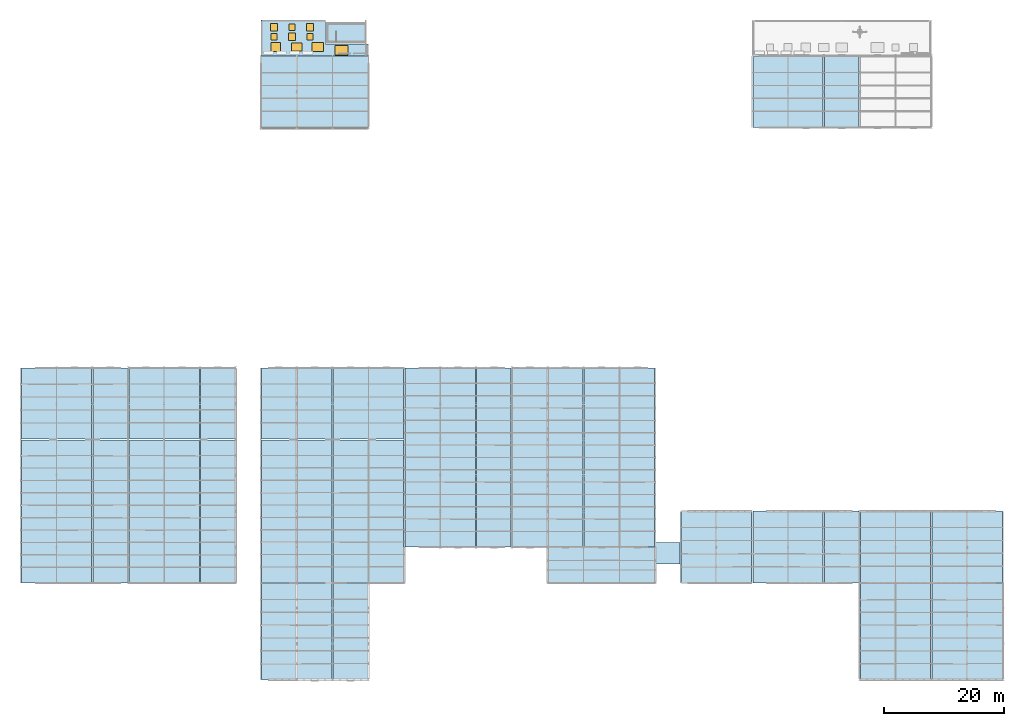
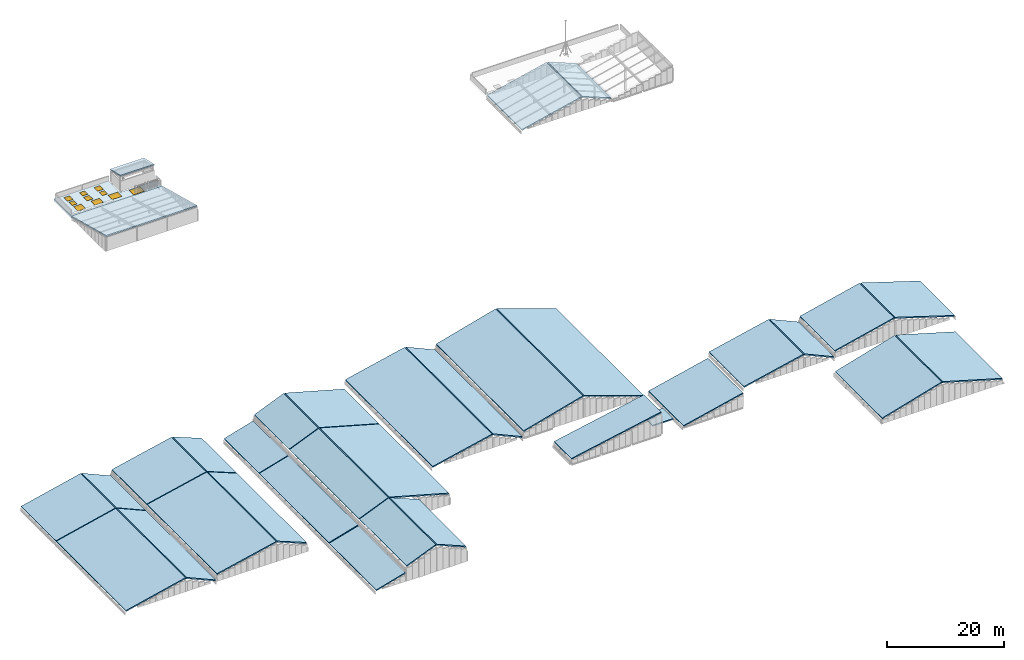
"""IFC4 building model written with IfcOpenShell, lengths in metres."""

from ifc_helpers import new_model, si_unit, direction, frame, origin, origin_2d, place, context, subcontext, project, spatial, polyline, rectangle, outline, extrude, material, layer, layer_set, type_object, element, fill, save


model = new_model("IFC4")

# Units and contexts
model_context = context("Model", 3, precision=1e-05, world=origin(), true_north=direction((0.0, 1.0)))
body_context = subcontext(model_context, "Body", "Model", "MODEL_VIEW")
ifc_project = project(units=[si_unit("LENGTHUNIT", "METRE"), si_unit("AREAUNIT", "SQUARE_METRE"), si_unit("VOLUMEUNIT", "CUBIC_METRE"), si_unit("PLANEANGLEUNIT", "RADIAN"), si_unit("MASSUNIT", "GRAM", prefix="KILO")], contexts=[model_context])

# Site, building, storey
site_placement = place(None, origin())
site = spatial("IfcSite", under=ifc_project, at=site_placement, CompositionType="ELEMENT")
building_placement = place(site_placement, origin())
building = spatial("IfcBuilding", under=site, at=building_placement, Name="Siltcreek Boulevard Central Fire Station", CompositionType="ELEMENT")
storey_1_placement = place(building_placement, frame((0.0, 0.0, 25.199951171875)))
storey_1 = spatial("IfcBuildingStorey", under=building, at=storey_1_placement, Name="RF", CompositionType="ELEMENT", Elevation=25.199951171875)

# Slabs
ifc_material_1 = material(Name="White ribbed aluminum insulated roof deck Steel A653 Gr50", Category="steel")
ifc_layer_1 = layer(ifc_material_1, 0.22998046875, Name="White ribbed aluminum insulated roof deck Steel A653 Gr50")
ifc_layer_set_1 = layer_set([ifc_layer_1], Name="White ribbed aluminum insulated roof deck Steel A653 Gr50")
slab_type_1 = type_object("IfcSlabType", Name="SL_ROOF230", PredefinedType="ROOF", material=ifc_layer_set_1)
slab_1_placement = place(storey_1_placement, frame((42.110107421875, 1.800048828125, -15.018798828125), z_axis=(-0.272616366575, 0.0, 0.962122817875), x_axis=(0.962122817875, 0.0, 0.272616366575)))
element("IfcSlab", 1, at=slab_1_placement, inside=storey_1, type_object=slab_type_1, Name="Pitched standing-seam roof deck slab RF-H3-PR", PredefinedType="ROOF", context=body_context, shape_type="SweptSolid", body=[
    extrude(outline(polyline([(0.0, 0.0), (6.007325726893151, 0.0), (6.007325726893151, 16.139892578125), (0.0, 16.139892578125), (0.0, 0.0)])), origin(), (0.0, 0.0, -1.0), 0.22998046875),
])
slab_2_placement = place(storey_1_placement, frame((42.110107421875, 42.06005859375, -14.9677734375), z_axis=(-0.280003114298, 0.0, 0.959999091658), x_axis=(0.959999091658, 0.0, 0.280003114298)))
element("IfcSlab", 2, at=slab_2_placement, inside=storey_1, type_object=slab_type_1, Name="Pitched standing-seam roof deck slab RF-H3-DC", PredefinedType="ROOF", context=body_context, shape_type="SweptSolid", body=[
    extrude(outline(polyline([(0.0, 0.0), (6.02061523440668, 0.0), (6.02061523440668, 11.93994140625), (0.0, 11.93994140625), (0.0, 0.0)])), origin(), (0.0, 0.0, -1.0), 0.22998046875),
])
slab_3_placement = place(storey_1_placement, frame((48.110107421875, 42.06005859375, -12.05419921875), z_axis=(-0.384643070133, 0.0, 0.923065386957), x_axis=(0.923065386957, 0.0, 0.384643070133)))
element("IfcSlab", 3, at=slab_3_placement, inside=storey_1, type_object=slab_type_1, Name="Pitched standing-seam roof deck slab RF-H4W-DC", PredefinedType="ROOF", context=body_context, shape_type="SweptSolid", body=[
    extrude(outline(polyline([(0.0, 0.0), (6.261512172287488, 0.0), (6.261512172287488, 11.93994140625), (0.0, 11.93994140625), (0.0, 0.0)])), origin(), (0.0, 0.0, -1.0), 0.22998046875),
])
slab_4_placement = place(storey_1_placement, frame((54.110107421875, 42.06005859375, -9.630615234375), z_axis=(0.268889412044, 0.0, 0.963171056506), x_axis=(0.963171056506, 0.0, -0.268889412044)))
element("IfcSlab", 4, at=slab_4_placement, inside=storey_1, type_object=slab_type_1, Name="Pitched standing-seam roof deck slab RF-H4E-DC", PredefinedType="ROOF", context=body_context, shape_type="SweptSolid", body=[
    extrude(outline(polyline([(0.0, 0.0), (12.230210902500211, 0.0), (12.230210902500211, 11.939941406249998), (0.0, 11.939941406249998), (0.0, 0.0)])), origin(), (0.0, 0.0, -1.0), 0.22998046875),
])
slab_5_placement = place(storey_1_placement, frame((90.110107421875, 18.0, -14.1279296875), z_axis=(-0.19611354577, 0.0, 0.980581193561), x_axis=(0.980581193561, 0.0, 0.19611354577)))
element("IfcSlab", 5, at=slab_5_placement, inside=storey_1, type_object=slab_type_1, Name="Pitched standing-seam roof deck slab RF-H6-DY", PredefinedType="ROOF", context=body_context, shape_type="SweptSolid", body=[
    extrude(outline(polyline([(0.0, 0.0), (18.131884715921274, 0.0), (18.131884715921274, 5.919921875), (0.0, 5.919921875), (0.0, 0.0)])), origin(), (0.0, 0.0, -1.0), 0.22998046875),
])
slab_6_placement = place(storey_1_placement, frame((42.0, 94.199951171875, 3.199951171875), z_axis=(0.0, 0.254721417197, 0.967014477462), x_axis=(1.0, 0.0, 0.0)))
element("IfcSlab", 6, at=slab_6_placement, inside=storey_1, type_object=slab_type_1, Name="Pitched standing-seam roof deck slab RF-V3-MAIN", PredefinedType="ROOF", context=body_context, shape_type="SweptSolid", body=[
    extrude(outline(polyline([(0.0, 0.0), (18.0, 0.0), (18.0, 12.32677099820653), (0.0, 12.32677099820653), (0.0, 0.0)])), origin(), (0.0, 0.0, -1.0), 0.22998046875),
])
slab_7_placement = place(storey_1_placement, frame((1.909912109375, 42.06005859375, -15.07421875), z_axis=(-0.22721876916, 0.0, 0.973843740516), x_axis=(0.973843740516, 0.0, 0.22721876916)))
element("IfcSlab", 7, at=slab_7_placement, inside=storey_1, type_object=slab_type_1, Name="Pitched standing-seam roof deck slab RF-H1W-N", PredefinedType="ROOF", context=body_context, shape_type="SweptSolid", body=[
    extrude(outline(polyline([(0.0, 0.0), (12.096426569048214, 0.0), (12.096426569048214, 11.939941406249998), (0.0, 11.939941406249998), (0.0, 0.0)])), origin(), (0.0, 0.0, -1.0), 0.22998046875),
])
slab_8_placement = place(storey_1_placement, frame((13.909912109375, 42.06005859375, -12.3486328125), z_axis=(0.404000704896, 0.0, 0.914758673336), x_axis=(0.914758673336, 0.0, -0.404000704896)))
element("IfcSlab", 8, at=slab_8_placement, inside=storey_1, type_object=slab_type_1, Name="Pitched standing-seam roof deck slab RF-H1E-N", PredefinedType="ROOF", context=body_context, shape_type="SweptSolid", body=[
    extrude(outline(polyline([(0.0, 0.0), (6.318638418365142, 0.0), (6.318638418365142, 11.93994140625), (0.0, 11.93994140625), (0.0, 0.0)])), origin(), (0.0, 0.0, -1.0), 0.22998046875),
])
slab_9_placement = place(storey_1_placement, frame((19.909912109375, 42.06005859375, -13.67529296875), z_axis=(-0.219522298809, 0.0, 0.975607482713), x_axis=(0.975607482713, 0.0, 0.219522298809)))
element("IfcSlab", 9, at=slab_9_placement, inside=storey_1, type_object=slab_type_1, Name="Pitched standing-seam roof deck slab RF-H2W-N", PredefinedType="ROOF", context=body_context, shape_type="SweptSolid", body=[
    extrude(outline(polyline([(0.0, 0.0), (12.074558165662758, 0.0), (12.074558165662758, 11.93994140625), (0.0, 11.93994140625), (0.0, 0.0)])), origin(), (0.0, 0.0, -1.0), 0.22998046875),
])
slab_10_placement = place(storey_1_placement, frame((31.909912109375, 42.06005859375, -11.0439453125), z_axis=(0.371390676354, 0.0, 0.928476690885), x_axis=(0.928476690885, 0.0, -0.371390676354)))
element("IfcSlab", 10, at=slab_10_placement, inside=storey_1, type_object=slab_type_1, Name="Pitched standing-seam roof deck slab RF-H2E-N", PredefinedType="ROOF", context=body_context, shape_type="SweptSolid", body=[
    extrude(outline(polyline([(0.0, 0.0), (6.225282070747528, 0.0), (6.225282070747528, 11.93994140625), (0.0, 11.93994140625), (0.0, 0.0)])), origin(), (0.0, 0.0, -1.0), 0.22998046875),
])
slab_11_placement = place(storey_1_placement, frame((112.31005859375, 18.0, -15.024169921875), z_axis=(-0.22721876916, 0.0, 0.973843740516), x_axis=(0.973843740516, 0.0, 0.22721876916)))
element("IfcSlab", 11, at=slab_11_placement, inside=storey_1, type_object=slab_type_1, Name="Pitched standing-seam roof deck slab RF-H7-LK", PredefinedType="ROOF", context=body_context, shape_type="SweptSolid", body=[
    extrude(outline(polyline([(0.0, 0.0), (12.096426569048214, 0.0), (12.096426569048214, 12.0), (0.0, 12.0), (0.0, 0.0)])), origin(), (0.0, 0.0, -1.0), 0.22998046875),
])
slab_12_placement = place(storey_1_placement, frame((0.0, 0.0, -15.639892578125)))
element("IfcSlab", 12, at=slab_12_placement, inside=storey_1, type_object=slab_type_1, Name="L02 seismic link bridge canopy roof slab RF-LB1", PredefinedType="ROOF", context=body_context, shape_type="SweptSolid", body=[
    extrude(outline(polyline([(108.050048828125, 21.199951171875), (112.14990234375, 21.199951171875), (112.14990234375, 24.800048828125), (108.050048828125, 24.800048828125), (108.050048828125, 21.199951171875)])), origin(), (0.0, 0.0, 1.0), 0.22998046875),
])
slab_13_placement = place(storey_1_placement, frame((52.93505859375, 108.3349609375, 3.400146484375), z_axis=(0.0, 0.223663017064, 0.974666535179), x_axis=(1.0, 0.0, 0.0)))
element("IfcSlab", 13, at=slab_13_placement, inside=storey_1, type_object=slab_type_1, Name="Pitched standing-seam head-house roof deck RF-CB4", PredefinedType="ROOF", context=body_context, shape_type="SweptSolid", body=[
    extrude(outline(polyline([(0.0, 0.0), (6.72998046875, 0.0), (6.72998046875, 3.621781572942249), (0.0, 3.621781572942249), (0.0, 0.0)])), origin(), (0.0, 0.0, -1.0), 0.22998046875),
])
ifc_layer_2 = layer(ifc_material_1, 0.25, Name="White ribbed aluminum insulated roof deck Steel A653 Gr50")
ifc_layer_set_2 = layer_set([ifc_layer_2], Name="White ribbed aluminum insulated roof deck Steel A653 Gr50")
slab_type_2 = type_object("IfcSlabType", Name="SL_ROOF250", PredefinedType="ROOF", material=ifc_layer_set_2)
slab_14_placement = place(storey_1_placement, frame((42.110107421875, 18.06005859375, -14.9677734375), z_axis=(-0.280003114298, 0.0, 0.959999091658), x_axis=(0.959999091658, 0.0, 0.280003114298)))
element("IfcSlab", 14, at=slab_14_placement, inside=storey_1, type_object=slab_type_2, Name="Pitched standing-seam roof deck slab RF-H3-HL", PredefinedType="ROOF", context=body_context, shape_type="SweptSolid", body=[
    extrude(outline(polyline([(0.0, 0.0), (6.02061523440668, 0.0), (6.02061523440668, 23.8798828125), (0.0, 23.8798828125), (0.0, 0.0)])), origin(), (0.0, 0.0, -1.0), 0.25),
])
for number, where, z_axis, x_axis, name in (
    (15, (48.110107421875, 1.800048828125, -12.05419921875), (-0.384643070133, 0.0, 0.923065386957), (0.923065386957, 0.0, 0.384643070133), "Pitched standing-seam roof deck slab RF-H4W-PR"),
    (16, (54.110107421875, 1.800048828125, -9.645751953125), (0.384643070133, 0.0, 0.923065386957), (0.923065386957, 0.0, -0.384643070133), "Pitched standing-seam roof deck slab RF-H4E-PR"),
):
    element("IfcSlab", number, at=place(storey_1_placement, frame(where, z_axis=z_axis, x_axis=x_axis)), inside=storey_1, type_object=slab_type_2, Name=name, PredefinedType="ROOF", context=body_context, shape_type="SweptSolid", body=[
        extrude(outline(polyline([(0.0, 0.0), (6.261512172287488, 0.0), (6.261512172287488, 16.139892578125), (0.0, 16.139892578125), (0.0, 0.0)])), origin(), (0.0, 0.0, -1.0), 0.25),
    ])
slab_15_placement = place(storey_1_placement, frame((48.110107421875, 18.06005859375, -12.05419921875), z_axis=(-0.384643070133, 0.0, 0.923065386957), x_axis=(0.923065386957, 0.0, 0.384643070133)))
element("IfcSlab", 17, at=slab_15_placement, inside=storey_1, type_object=slab_type_2, Name="Pitched standing-seam roof deck slab RF-H4W-HL", PredefinedType="ROOF", context=body_context, shape_type="SweptSolid", body=[
    extrude(outline(polyline([(0.0, 0.0), (6.261512172287488, 0.0), (6.261512172287488, 23.8798828125), (0.0, 23.8798828125), (0.0, 0.0)])), origin(), (0.0, 0.0, -1.0), 0.25),
])
slab_16_placement = place(storey_1_placement, frame((54.110107421875, 18.06005859375, -9.630615234375), z_axis=(0.268889412044, 0.0, 0.963171056506), x_axis=(0.963171056506, 0.0, -0.268889412044)))
element("IfcSlab", 18, at=slab_16_placement, inside=storey_1, type_object=slab_type_2, Name="Pitched standing-seam roof deck slab RF-H4E-HL", PredefinedType="ROOF", context=body_context, shape_type="SweptSolid", body=[
    extrude(outline(polyline([(0.0, 0.0), (12.230210902500211, 0.0), (12.230210902500211, 23.879882812499996), (0.0, 23.879882812499996), (0.0, 0.0)])), origin(), (0.0, 0.0, -1.0), 0.25),
])
slab_17_placement = place(storey_1_placement, frame((66.110107421875, 24.0, -11.025146484375), z_axis=(-0.219507383718, 0.0, 0.975610838651), x_axis=(0.975610838651, 0.0, 0.219507383718)))
element("IfcSlab", 19, at=slab_17_placement, inside=storey_1, type_object=slab_type_2, Name="Pitched standing-seam roof deck slab RF-H5W", PredefinedType="ROOF", context=body_context, shape_type="SweptSolid", body=[
    extrude(outline(polyline([(0.0, 0.0), (12.074266387341956, 0.0), (12.074266387341956, 30.0), (0.0, 30.0), (0.0, 0.0)])), origin(), (0.0, 0.0, -1.0), 0.25),
])
slab_18_placement = place(storey_1_placement, frame((78.110107421875, 24.0, -8.3994140625), z_axis=(0.410387100217, 0.0, 0.911911414544), x_axis=(0.911911414544, 0.0, -0.410387100217)))
element("IfcSlab", 20, at=slab_18_placement, inside=storey_1, type_object=slab_type_2, Name="Pitched standing-seam roof deck slab RF-H5E", PredefinedType="ROOF", context=body_context, shape_type="SweptSolid", body=[
    extrude(outline(polyline([(0.0, 0.0), (6.338099363677866, 0.0), (6.338099363677866, 30.0), (0.0, 30.0), (0.0, 0.0)])), origin(), (0.0, 0.0, -1.0), 0.25),
])
slab_19_placement = place(storey_1_placement, frame((84.110107421875, 24.0, -9.86962890625), z_axis=(-0.265161127644, 0.0, 0.96420411552), x_axis=(0.96420411552, 0.0, 0.265161127644)))
element("IfcSlab", 21, at=slab_19_placement, inside=storey_1, type_object=slab_type_2, Name="Pitched standing-seam roof deck slab RF-H6W", PredefinedType="ROOF", context=body_context, shape_type="SweptSolid", body=[
    extrude(outline(polyline([(0.0, 0.0), (12.217107318498455, 0.0), (12.217107318498455, 30.000000000000007), (0.0, 30.000000000000007), (0.0, 0.0)])), origin(), (0.0, 0.0, -1.0), 0.25),
])
slab_20_placement = place(storey_1_placement, frame((96.110107421875, 24.0, -6.638427734375), z_axis=(0.330359138196, 0.0, 0.943855306607), x_axis=(0.943855306607, 0.0, -0.330359138196)))
element("IfcSlab", 22, at=slab_20_placement, inside=storey_1, type_object=slab_type_2, Name="Pitched standing-seam roof deck slab RF-H6E", PredefinedType="ROOF", context=body_context, shape_type="SweptSolid", body=[
    extrude(outline(polyline([(0.0, 0.0), (12.480498942784903, 0.0), (12.480498942784903, 30.0), (0.0, 30.0), (0.0, 0.0)])), origin(), (0.0, 0.0, -1.0), 0.25),
])
slab_21_placement = place(storey_1_placement, frame((1.909912109375, 18.0, -15.07421875), z_axis=(-0.22721876916, 0.0, 0.973843740516), x_axis=(0.973843740516, 0.0, 0.22721876916)))
element("IfcSlab", 23, at=slab_21_placement, inside=storey_1, type_object=slab_type_2, Name="Pitched standing-seam roof deck slab RF-H1W-S", PredefinedType="ROOF", context=body_context, shape_type="SweptSolid", body=[
    extrude(outline(polyline([(0.0, 0.0), (12.096426569048214, 0.0), (12.096426569048214, 23.939941406250004), (0.0, 23.939941406250004), (0.0, 0.0)])), origin(), (0.0, 0.0, -1.0), 0.25),
])
slab_22_placement = place(storey_1_placement, frame((13.909912109375, 18.0, -12.3486328125), z_axis=(0.404000704896, 0.0, 0.914758673336), x_axis=(0.914758673336, 0.0, -0.404000704896)))
element("IfcSlab", 24, at=slab_22_placement, inside=storey_1, type_object=slab_type_2, Name="Pitched standing-seam roof deck slab RF-H1E-S", PredefinedType="ROOF", context=body_context, shape_type="SweptSolid", body=[
    extrude(outline(polyline([(0.0, 0.0), (6.318638418365142, 0.0), (6.318638418365142, 23.93994140625), (0.0, 23.93994140625), (0.0, 0.0)])), origin(), (0.0, 0.0, -1.0), 0.25),
])
slab_23_placement = place(storey_1_placement, frame((19.909912109375, 18.0, -13.67529296875), z_axis=(-0.219522298809, 0.0, 0.975607482713), x_axis=(0.975607482713, 0.0, 0.219522298809)))
element("IfcSlab", 25, at=slab_23_placement, inside=storey_1, type_object=slab_type_2, Name="Pitched standing-seam roof deck slab RF-H2W-S", PredefinedType="ROOF", context=body_context, shape_type="SweptSolid", body=[
    extrude(outline(polyline([(0.0, 0.0), (12.074558165662758, 0.0), (12.074558165662758, 23.93994140625), (0.0, 23.93994140625), (0.0, 0.0)])), origin(), (0.0, 0.0, -1.0), 0.25),
])
slab_24_placement = place(storey_1_placement, frame((31.909912109375, 18.0, -11.0439453125), z_axis=(0.371390676354, 0.0, 0.928476690885), x_axis=(0.928476690885, 0.0, -0.371390676354)))
element("IfcSlab", 26, at=slab_24_placement, inside=storey_1, type_object=slab_type_2, Name="Pitched standing-seam roof deck slab RF-H2E-S", PredefinedType="ROOF", context=body_context, shape_type="SweptSolid", body=[
    extrude(outline(polyline([(0.0, 0.0), (6.225282070747528, 0.0), (6.225282070747528, 23.93994140625), (0.0, 23.93994140625), (0.0, 0.0)])), origin(), (0.0, 0.0, -1.0), 0.25),
])
slab_25_placement = place(storey_1_placement, frame((124.31005859375, 94.199951171875, -3.42431640625), z_axis=(-0.227237909891, 0.0, 0.973839274371), x_axis=(0.973839274371, 0.0, 0.227237909891)))
element("IfcSlab", 27, at=slab_25_placement, inside=storey_1, type_object=slab_type_2, Name="Pitched standing-seam roof deck slab RF-V5W", PredefinedType="ROOF", context=body_context, shape_type="SweptSolid", body=[
    extrude(outline(polyline([(0.0, 0.0), (12.096482044717048, 0.0), (12.096482044717048, 11.920166015625), (0.0, 11.920166015625), (0.0, 0.0)])), origin(), (0.0, 0.0, -1.0), 0.25),
])
slab_26_placement = place(storey_1_placement, frame((136.31005859375, 94.199951171875, -0.69384765625), z_axis=(0.371390676354, 0.0, 0.928476690885), x_axis=(0.928476690885, 0.0, -0.371390676354)))
element("IfcSlab", 28, at=slab_26_placement, inside=storey_1, type_object=slab_type_2, Name="Pitched standing-seam roof deck slab RF-V5M", PredefinedType="ROOF", context=body_context, shape_type="SweptSolid", body=[
    extrude(outline(polyline([(0.0, 0.0), (6.225282070747528, 0.0), (6.225282070747528, 11.920166015625), (0.0, 11.920166015625), (0.0, 0.0)])), origin(), (0.0, 0.0, -1.0), 0.25),
])
slab_27_placement = place(storey_1_placement, frame((124.31005859375, 18.0, -11.025146484375), z_axis=(-0.21950305363, 0.0, 0.975611812888), x_axis=(0.975611812888, 0.0, 0.21950305363)))
element("IfcSlab", 29, at=slab_27_placement, inside=storey_1, type_object=slab_type_2, Name="Pitched standing-seam roof deck slab RF-H7W", PredefinedType="ROOF", context=body_context, shape_type="SweptSolid", body=[
    extrude(outline(polyline([(0.0, 0.0), (12.074504573700786, 0.0), (12.074504573700786, 12.0), (0.0, 12.0), (0.0, 0.0)])), origin(), (0.0, 0.0, -1.0), 0.25),
])
slab_28_placement = place(storey_1_placement, frame((136.31005859375, 18.0, -8.3994140625), z_axis=(0.410372685251, 0.0, 0.911917901568), x_axis=(0.911917901568, 0.0, -0.410372685251)))
element("IfcSlab", 30, at=slab_28_placement, inside=storey_1, type_object=slab_type_2, Name="Pitched standing-seam roof deck slab RF-H7E", PredefinedType="ROOF", context=body_context, shape_type="SweptSolid", body=[
    extrude(outline(polyline([(0.0, 0.0), (6.338321999092444, 0.0), (6.338321999092444, 12.000000000000004), (0.0, 12.000000000000004), (0.0, 0.0)])), origin(), (0.0, 0.0, -1.0), 0.25),
])
for number, where, z_axis, x_axis, name in (
    (31, (142.31005859375, 1.800048828125, -14.117919921875), (-0.279996179969, 0.0, 0.960001114167), (0.960001114167, 0.0, 0.279996179969), "Pitched standing-seam roof deck slab RF-H8W-TH"),
    (32, (154.31005859375, 1.800048828125, -10.68212890625), (0.279996179969, 0.0, 0.960001114167), (0.960001114167, 0.0, -0.279996179969), "Pitched standing-seam roof deck slab RF-H8E-TH"),
):
    element("IfcSlab", number, at=place(storey_1_placement, frame(where, z_axis=z_axis, x_axis=x_axis)), inside=storey_1, type_object=slab_type_2, Name=name, PredefinedType="ROOF", context=body_context, shape_type="SweptSolid", body=[
        extrude(outline(polyline([(0.0, 0.0), (12.27084960947215, 0.0), (12.27084960947215, 16.119873046875), (0.0, 16.119873046875), (0.0, 0.0)])), origin(), (0.0, 0.0, -1.0), 0.25),
    ])
slab_29_placement = place(storey_1_placement, frame((142.31005859375, 18.080078125, -9.873779296875), z_axis=(-0.231060739701, 0.0, 0.97293932728), x_axis=(0.97293932728, 0.0, 0.231060739701)))
element("IfcSlab", 33, at=slab_29_placement, inside=storey_1, type_object=slab_type_2, Name="Pitched standing-seam roof deck slab RF-H8W-UP", PredefinedType="ROOF", context=body_context, shape_type="SweptSolid", body=[
    extrude(outline(polyline([(0.0, 0.0), (12.107671019736348, 0.0), (12.107671019736348, 11.919921875), (0.0, 11.919921875), (0.0, 0.0)])), origin(), (0.0, 0.0, -1.0), 0.25),
])
slab_30_placement = place(storey_1_placement, frame((154.31005859375, 18.080078125, -7.084716796875), z_axis=(0.301900982571, 0.0, 0.953339287307), x_axis=(0.953339287307, 0.0, -0.301900982571)))
element("IfcSlab", 34, at=slab_30_placement, inside=storey_1, type_object=slab_type_2, Name="Pitched standing-seam roof deck slab RF-H8E-UP", PredefinedType="ROOF", context=body_context, shape_type="SweptSolid", body=[
    extrude(outline(polyline([(0.0, 0.0), (12.356596915411616, 0.0), (12.356596915411616, 11.919921875), (0.0, 11.919921875), (0.0, 0.0)])), origin(), (0.0, 0.0, -1.0), 0.25),
])

# Slab, openings, doors
ifc_material_2 = material(Name="Concrete C35/45", Category="concrete")
ifc_layer_3 = layer(ifc_material_2, 0.419921875, Name="Concrete C35/45")
ifc_layer_set_3 = layer_set([ifc_layer_3], Name="Concrete C35/45")
slab_type_3 = type_object("IfcSlabType", Name="SL_ROOF420", PredefinedType="ROOF", material=ifc_layer_set_3)
slab_31_placement = place(storey_1_placement, frame((0.0, 0.0, -0.419921875)))
slab_31 = element("IfcSlab", 35, at=slab_31_placement, inside=storey_1, type_object=slab_type_3, Name="Drill tower north roof maintenance curb slab RF-CB2", PredefinedType="ROOF", context=body_context, shape_type="SweptSolid", body=[
    extrude(outline(polyline([(42.0, 106.199951171875), (60.0, 106.199951171875), (60.0, 108.14990234375), (52.800048828125, 108.14990234375), (52.800048828125, 112.199951171875), (42.0, 112.199951171875), (42.0, 106.199951171875)])), origin(), (0.0, 0.0, 1.0), 0.419921875),
])
opening_1_placement = place(slab_31_placement, frame((44.199951171875, 109.39990234375, -0.010009765625)))
opening_1 = element("IfcOpeningElement", 36, at=opening_1_placement, cuts=slab_31, Name="Opening RH-01", PredefinedType="OPENING", context=body_context, shape_type="SweptSolid", body=[
    extrude(rectangle(XDim=1.02001953125, YDim=1.1201171875, at=origin_2d()), origin(), (0.0, 0.0, 1.0), 0.43994140625),
])
opening_2_placement = place(slab_31_placement, frame((47.199951171875, 109.39990234375, -0.010009765625)))
opening_2 = element("IfcOpeningElement", 37, at=opening_2_placement, cuts=slab_31, Name="Opening RH-02", PredefinedType="OPENING", context=body_context, shape_type="SweptSolid", body=[
    extrude(rectangle(XDim=1.14990234375, YDim=1.25, at=origin_2d()), origin(), (0.0, 0.0, 1.0), 0.43994140625),
])
opening_3_placement = place(slab_31_placement, frame((50.199951171875, 109.39990234375, -0.010009765625)))
opening_3 = element("IfcOpeningElement", 38, at=opening_3_placement, cuts=slab_31, Name="Opening RH-03", PredefinedType="OPENING", context=body_context, shape_type="SweptSolid", body=[
    extrude(rectangle(XDim=1.02001953125, YDim=1.1201171875, at=origin_2d()), origin(), (0.0, 0.0, 1.0), 0.43994140625),
])
opening_4_placement = place(slab_31_placement, frame((44.199951171875, 111.0, -0.010009765625)))
opening_4 = element("IfcOpeningElement", 39, at=opening_4_placement, cuts=slab_31, Name="Opening RH-04", PredefinedType="OPENING", context=body_context, shape_type="SweptSolid", body=[
    extrude(rectangle(XDim=1.14990234375, YDim=1.25, at=origin_2d()), origin(), (0.0, 0.0, 1.0), 0.43994140625),
])
opening_5_placement = place(slab_31_placement, frame((47.199951171875, 111.0, -0.010009765625)))
opening_5 = element("IfcOpeningElement", 40, at=opening_5_placement, cuts=slab_31, Name="Opening RH-05", PredefinedType="OPENING", context=body_context, shape_type="SweptSolid", body=[
    extrude(rectangle(XDim=1.02001953125, YDim=1.1201171875, at=origin_2d()), origin(), (0.0, 0.0, 1.0), 0.43994140625),
])
opening_6_placement = place(slab_31_placement, frame((50.199951171875, 111.0, -0.010009765625)))
opening_6 = element("IfcOpeningElement", 41, at=opening_6_placement, cuts=slab_31, Name="Opening RH-06", PredefinedType="OPENING", context=body_context, shape_type="SweptSolid", body=[
    extrude(rectangle(XDim=1.14990234375, YDim=1.25, at=origin_2d()), origin(), (0.0, 0.0, 1.0), 0.43994140625),
])
opening_7_placement = place(slab_31_placement, frame((44.5, 107.699951171875, -0.010009765625)))
opening_7 = element("IfcOpeningElement", 42, at=opening_7_placement, cuts=slab_31, Name="Opening SK-09", PredefinedType="OPENING", context=body_context, shape_type="SweptSolid", body=[
    extrude(rectangle(XDim=1.550048828125, YDim=1.550048828125, at=origin_2d()), origin(), (0.0, 0.0, 1.0), 0.43994140625),
])
opening_8_placement = place(slab_31_placement, frame((48.0, 107.699951171875, -0.010009765625)))
opening_8 = element("IfcOpeningElement", 43, at=opening_8_placement, cuts=slab_31, Name="Opening SK-10", PredefinedType="OPENING", context=body_context, shape_type="SweptSolid", body=[
    extrude(rectangle(XDim=1.75, YDim=1.35009765625, at=origin_2d()), origin(), (0.0, 0.0, 1.0), 0.43994140625),
])
opening_9_placement = place(slab_31_placement, frame((51.5, 107.699951171875, -0.010009765625)))
opening_9 = element("IfcOpeningElement", 44, at=opening_9_placement, cuts=slab_31, Name="Opening SK-11", PredefinedType="OPENING", context=body_context, shape_type="SweptSolid", body=[
    extrude(rectangle(XDim=1.949951171875, YDim=1.47998046875, at=origin_2d()), origin(), (0.0, 0.0, 1.0), 0.43994140625),
])
opening_10_placement = place(slab_31_placement, frame((55.5, 107.14990234375, -0.010009765625)))
opening_10 = element("IfcOpeningElement", 45, at=opening_10_placement, cuts=slab_31, Name="Opening SK-12", PredefinedType="OPENING", context=body_context, shape_type="SweptSolid", body=[
    extrude(rectangle(XDim=2.14990234375, YDim=1.6201171875, at=origin_2d()), origin(), (0.0, 0.0, 1.0), 0.43994140625),
])
ifc_material_3 = material(Name="Insulated aluminum roof access hatch", Category="aluminium")
door_type_1 = type_object("IfcDoorType", Name="DR_HAT_102X112", OperationType="NOTDEFINED", PredefinedType="TRAPDOOR", material=ifc_material_3)
door_1_placement = place(opening_1_placement, frame((0.0, 0.0, 0.369873046875)))
door_1 = element("IfcDoor", 46, at=door_1_placement, inside=storey_1, type_object=door_type_1, Name="Roof maintenance access hatch RH-01", OperationType="SINGLE_SWING_LEFT", OverallHeight=1.1201171875, OverallWidth=1.02001953125, PredefinedType="TRAPDOOR", context=body_context, shape_type="SweptSolid", body=[
    extrude(rectangle(XDim=1.02001953125, YDim=1.1201171875, at=origin_2d()), origin(), (0.0, 0.0, 1.0), 0.06005859375),
])
fill(opening_1, door_1)
door_2_placement = place(opening_3_placement, frame((0.0, 0.0, 0.369873046875)))
door_2 = element("IfcDoor", 47, at=door_2_placement, inside=storey_1, type_object=door_type_1, Name="Roof maintenance access hatch RH-03", OperationType="SINGLE_SWING_LEFT", OverallHeight=1.1201171875, OverallWidth=1.02001953125, PredefinedType="TRAPDOOR", context=body_context, shape_type="SweptSolid", body=[
    extrude(rectangle(XDim=1.02001953125, YDim=1.1201171875, at=origin_2d()), origin(), (0.0, 0.0, 1.0), 0.06005859375),
])
fill(opening_3, door_2)
door_3_placement = place(opening_5_placement, frame((0.0, 0.0, 0.369873046875)))
door_3 = element("IfcDoor", 48, at=door_3_placement, inside=storey_1, type_object=door_type_1, Name="Roof maintenance access hatch RH-05", OperationType="SINGLE_SWING_LEFT", OverallHeight=1.1201171875, OverallWidth=1.02001953125, PredefinedType="TRAPDOOR", context=body_context, shape_type="SweptSolid", body=[
    extrude(rectangle(XDim=1.02001953125, YDim=1.1201171875, at=origin_2d()), origin(), (0.0, 0.0, 1.0), 0.06005859375),
])
fill(opening_5, door_3)
door_type_2 = type_object("IfcDoorType", Name="DR_HAT_115X125", OperationType="NOTDEFINED", PredefinedType="TRAPDOOR", material=ifc_material_3)
door_4_placement = place(opening_2_placement, frame((0.0, 0.0, 0.369873046875)))
door_4 = element("IfcDoor", 49, at=door_4_placement, inside=storey_1, type_object=door_type_2, Name="Roof maintenance access hatch RH-02", OperationType="SINGLE_SWING_LEFT", OverallHeight=1.25, OverallWidth=1.14990234375, PredefinedType="TRAPDOOR", context=body_context, shape_type="SweptSolid", body=[
    extrude(rectangle(XDim=1.14990234375, YDim=1.25, at=origin_2d()), origin(), (0.0, 0.0, 1.0), 0.06005859375),
])
fill(opening_2, door_4)
door_5_placement = place(opening_4_placement, frame((0.0, 0.0, 0.369873046875)))
door_5 = element("IfcDoor", 50, at=door_5_placement, inside=storey_1, type_object=door_type_2, Name="Roof maintenance access hatch RH-04", OperationType="SINGLE_SWING_LEFT", OverallHeight=1.25, OverallWidth=1.14990234375, PredefinedType="TRAPDOOR", context=body_context, shape_type="SweptSolid", body=[
    extrude(rectangle(XDim=1.14990234375, YDim=1.25, at=origin_2d()), origin(), (0.0, 0.0, 1.0), 0.06005859375),
])
fill(opening_4, door_5)
door_6_placement = place(opening_6_placement, frame((0.0, 0.0, 0.369873046875)))
door_6 = element("IfcDoor", 51, at=door_6_placement, inside=storey_1, type_object=door_type_2, Name="Roof maintenance access hatch RH-06", OperationType="SINGLE_SWING_LEFT", OverallHeight=1.25, OverallWidth=1.14990234375, PredefinedType="TRAPDOOR", context=body_context, shape_type="SweptSolid", body=[
    extrude(rectangle(XDim=1.14990234375, YDim=1.25, at=origin_2d()), origin(), (0.0, 0.0, 1.0), 0.06005859375),
])
fill(opening_6, door_6)

# Storey
storey_2_placement = place(building_placement, frame((0.0, 0.0, 21.60009765625)))
storey_2 = spatial("IfcBuildingStorey", under=building, at=storey_2_placement, Name="L06", CompositionType="ELEMENT", Elevation=21.60009765625)

# Window
ifc_material_4 = material(Name="Thermally broken aluminum frame with low-E insulated glass", Category="aluminium")
window_type_1 = type_object("IfcWindowType", Name="SK_155X155", PartitioningType="SINGLE_PANEL", PredefinedType="SKYLIGHT", material=ifc_material_4)
window_1_placement = place(opening_7_placement, frame((0.0, 0.0, 0.369873046875)))
window_1 = element("IfcWindow", 52, at=window_1_placement, inside=storey_2, type_object=window_type_1, Name="Roof smoke and daylight skylight SK-09", OverallHeight=1.550048828125, OverallWidth=1.550048828125, PartitioningType="SINGLE_PANEL", PredefinedType="SKYLIGHT", context=body_context, shape_type="SweptSolid", body=[
    extrude(rectangle(XDim=1.550048828125, YDim=1.550048828125, at=origin_2d()), origin(), (0.0, 0.0, 1.0), 0.06005859375),
])

fill(opening_7, window_1)

window_type_2 = type_object("IfcWindowType", Name="SK_175X135", PartitioningType="SINGLE_PANEL", PredefinedType="SKYLIGHT", material=ifc_material_4)
window_2_placement = place(opening_8_placement, frame((0.0, 0.0, 0.369873046875)))
window_2 = element("IfcWindow", 53, at=window_2_placement, inside=storey_2, type_object=window_type_2, Name="Roof smoke and daylight skylight SK-10", OverallHeight=1.35009765625, OverallWidth=1.75, PartitioningType="SINGLE_PANEL", PredefinedType="SKYLIGHT", context=body_context, shape_type="SweptSolid", body=[
    extrude(rectangle(XDim=1.75, YDim=1.35009765625, at=origin_2d()), origin(), (0.0, 0.0, 1.0), 0.06005859375),
])

fill(opening_8, window_2)

window_type_3 = type_object("IfcWindowType", Name="SK_195X148", PartitioningType="SINGLE_PANEL", PredefinedType="SKYLIGHT", material=ifc_material_4)
window_3_placement = place(opening_9_placement, frame((0.0, 0.0, 0.369873046875)))
window_3 = element("IfcWindow", 54, at=window_3_placement, inside=storey_2, type_object=window_type_3, Name="Roof smoke and daylight skylight SK-11", OverallHeight=1.47998046875, OverallWidth=1.949951171875, PartitioningType="SINGLE_PANEL", PredefinedType="SKYLIGHT", context=body_context, shape_type="SweptSolid", body=[
    extrude(rectangle(XDim=1.949951171875, YDim=1.47998046875, at=origin_2d()), origin(), (0.0, 0.0, 1.0), 0.06005859375),
])

fill(opening_9, window_3)

window_type_4 = type_object("IfcWindowType", Name="SK_215X162", PartitioningType="SINGLE_PANEL", PredefinedType="SKYLIGHT", material=ifc_material_4)
window_4_placement = place(opening_10_placement, frame((0.0, 0.0, 0.369873046875)))
window_4 = element("IfcWindow", 55, at=window_4_placement, inside=storey_2, type_object=window_type_4, Name="Roof smoke and daylight skylight SK-12", OverallHeight=1.6201171875, OverallWidth=2.14990234375, PartitioningType="SINGLE_PANEL", PredefinedType="SKYLIGHT", context=body_context, shape_type="SweptSolid", body=[
    extrude(rectangle(XDim=2.14990234375, YDim=1.6201171875, at=origin_2d()), origin(), (0.0, 0.0, 1.0), 0.06005859375),
])

fill(opening_10, window_4)

save(model, "model.ifc")
